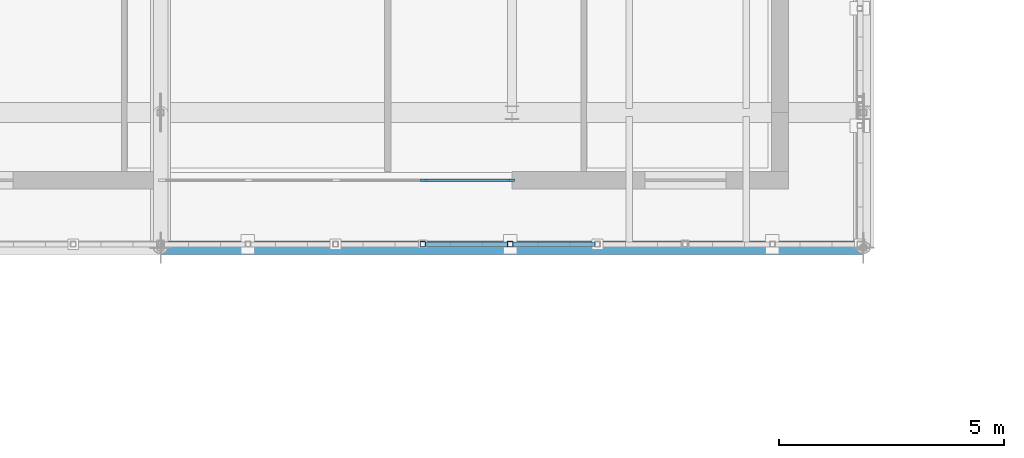
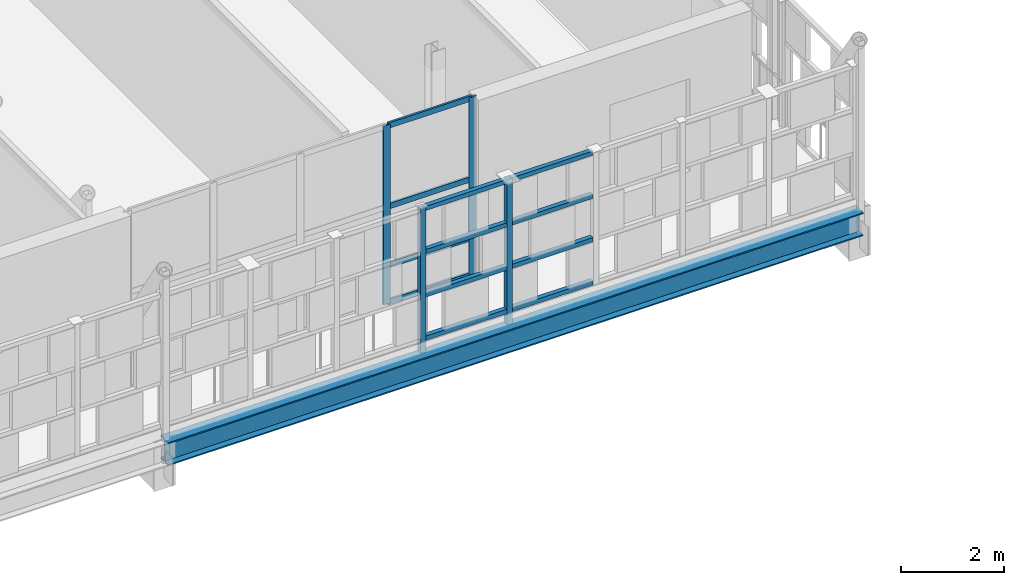
# One storey, part 24 of 89: 16 members, 1 beam, 1 element without a shape of its own.
"""IFC4 building model written with IfcOpenShell, lengths in metres."""

from ifc_helpers import new_model, si_unit, direction, frame, origin, origin_2d, place, context, subcontext, project, spatial, rectangle, hollow_rectangle, i_section, extrude, material, layer, layer_set, material_profile, profile_set, type_object, element, aggregate, save


model = new_model("IFC4")

# Units and contexts
model_context = context("Model", 3, precision=1e-05, world=origin(), true_north=direction((0.0, 1.0)))
body_context = subcontext(model_context, "Body", "Model", "MODEL_VIEW")
ifc_project = project(units=[si_unit("LENGTHUNIT", "METRE"), si_unit("AREAUNIT", "SQUARE_METRE"), si_unit("VOLUMEUNIT", "CUBIC_METRE"), si_unit("PLANEANGLEUNIT", "RADIAN"), si_unit("MASSUNIT", "GRAM", prefix="KILO")], contexts=[model_context])

# Site, building, storey
site_placement = place(None, origin())
site = spatial("IfcSite", under=ifc_project, at=site_placement, CompositionType="ELEMENT")
building_placement = place(site_placement, origin())
building = spatial("IfcBuilding", under=site, at=building_placement, Name="Celorna Specialist Clinic", CompositionType="ELEMENT")
storey_placement = place(building_placement, frame((0.0, 0.0, 14.10009765625)))
storey = spatial("IfcBuildingStorey", under=building, at=storey_placement, Name="L03", CompositionType="ELEMENT", Elevation=14.10009765625)

# Beam
ifc_material_1 = material(Name="Steel S355", Category="steel")
ifc_material_profile_1 = material_profile(ifc_material_1, i_section(OverallWidth=0.300048828125, OverallDepth=0.550048828125, WebThickness=0.014892578125, FlangeThickness=0.029052734375, at=origin_2d()), Name="HE 550 B")
ifc_profile_set_1 = profile_set([ifc_material_profile_1], Name="Steel S355")
beam_type = type_object("IfcBeamType", Name="BM-04", PredefinedType="BEAM", material=ifc_profile_set_1)
beam_placement = place(storey_placement, frame((70.199951171875, 5.699951171875, -0.53515625), z_axis=(1.0, 0.0, 0.0), x_axis=(0.0, 1.0, 0.0)))
element("IfcBeam", 1, at=beam_placement, inside=storey, type_object=beam_type, Name="Cantilever nose edge girder BM-04 #7", PredefinedType="BEAM", context=body_context, shape_type="SweptSolid", body=[
    extrude(i_section(OverallWidth=0.300048828125, OverallDepth=0.550048828125, WebThickness=0.014892578125, FlangeThickness=0.029052734375, at=origin_2d()), origin(), (0.0, 0.0, 1.0), 15.60009765625),
])

# Members
ifc_material_profile_2 = material_profile(ifc_material_1, hollow_rectangle(XDim=0.1201171875, YDim=0.1201171875, WallThickness=0.008056640625, at=origin_2d()), Name="SHS 120x120x8")
ifc_profile_set_2 = profile_set([ifc_material_profile_2], Name="Steel S355")
member_type_1 = type_object("IfcMemberType", Name="MB-11", PredefinedType="STUD", material=ifc_profile_set_2)
for number, where, z_axis, x_axis, name in (
    (2, (76.02001953125, 5.780029296875, -0.360107421875), (0.0, 0.0, 1.0), (1.0, 0.0, 0.0), "Perforated screen steel post #93"),
    (3, (77.9599609375, 5.780029296875, -0.360107421875), (0.0, 0.0, 1.0), (1.0, 0.0, 0.0), "Perforated screen steel post #94"),
):
    element("IfcMember", number, at=place(storey_placement, frame(where, z_axis=z_axis, x_axis=x_axis)), inside=storey, type_object=member_type_1, Name=name, PredefinedType="STUD", context=body_context, shape_type="SweptSolid", body=[
        extrude(hollow_rectangle(XDim=0.1201171875, YDim=0.1201171875, WallThickness=0.008056640625, at=origin_2d()), origin(), (0.0, 0.0, 1.0), 3.5400390625),
    ])
ifc_material_profile_3 = material_profile(ifc_material_1, hollow_rectangle(XDim=0.10009765625, YDim=0.10009765625, WallThickness=0.006103515625, at=origin_2d()), Name="SHS 100x100x6")
ifc_profile_set_3 = profile_set([ifc_material_profile_3], Name="Steel S355")
member_type_2 = type_object("IfcMemberType", Name="MB-12", PredefinedType="STUD", material=ifc_profile_set_3)
for number, where, z_axis, x_axis, name in (
    (4, (76.080078125, 5.780029296875, 0.0498046875), (1.0, 0.0, 0.0), (0.0, 1.0, 0.0), "Perforated screen rail #143"),
    (5, (76.080078125, 5.780029296875, 1.07666015625), (1.0, 0.0, 0.0), (0.0, 1.0, 0.0), "Perforated screen rail #144"),
    (6, (76.080078125, 5.780029296875, 2.103271484375), (1.0, 0.0, 0.0), (0.0, 1.0, 0.0), "Perforated screen rail #145"),
    (7, (76.080078125, 5.780029296875, 3.1298828125), (1.0, 0.0, 0.0), (0.0, 1.0, 0.0), "Perforated screen rail #146"),
):
    element("IfcMember", number, at=place(storey_placement, frame(where, z_axis=z_axis, x_axis=x_axis)), inside=storey, type_object=member_type_2, Name=name, PredefinedType="STUD", context=body_context, shape_type="SweptSolid", body=[
        extrude(hollow_rectangle(XDim=0.10009765625, YDim=0.10009765625, WallThickness=0.006103515625, at=origin_2d()), origin(), (0.0, 0.0, 1.0), 1.81982421875),
    ])
for number, where, z_axis, x_axis, name in (
    (8, (78.02001953125, 5.780029296875, 0.0498046875), (1.0, 0.0, 0.0), (0.0, 1.0, 0.0), "Perforated screen rail #147"),
    (9, (78.02001953125, 5.780029296875, 1.07666015625), (1.0, 0.0, 0.0), (0.0, 1.0, 0.0), "Perforated screen rail #148"),
    (10, (78.02001953125, 5.780029296875, 2.103271484375), (1.0, 0.0, 0.0), (0.0, 1.0, 0.0), "Perforated screen rail #149"),
    (11, (78.02001953125, 5.780029296875, 3.1298828125), (1.0, 0.0, 0.0), (0.0, 1.0, 0.0), "Perforated screen rail #150"),
):
    element("IfcMember", number, at=place(storey_placement, frame(where, z_axis=z_axis, x_axis=x_axis)), inside=storey, type_object=member_type_2, Name=name, PredefinedType="STUD", context=body_context, shape_type="SweptSolid", body=[
        extrude(hollow_rectangle(XDim=0.10009765625, YDim=0.10009765625, WallThickness=0.006103515625, at=origin_2d()), origin(), (0.0, 0.0, 1.0), 1.820068359375),
    ])

# Curtain wall, members
ifc_material_2 = material(Name="Thermally broken aluminium and solar-control glass curtain wall", Category="aluminium")
ifc_layer = layer(ifc_material_2, 0.159912109375, Name="Thermally broken aluminium and solar-control glass curtain wall")
ifc_layer_set = layer_set([ifc_layer], Name="Thermally broken aluminium and solar-control glass curtain wall")
curtain_wall_type = type_object("IfcCurtainWallType", Name="CW-68", PredefinedType="NOTDEFINED", material=ifc_layer_set)
curtain_wall_placement = place(storey_placement, origin())
curtain_wall = element("IfcCurtainWall", 12, at=curtain_wall_placement, inside=storey, type_object=curtain_wall_type, Name="Curtain wall CW-68 #197", PredefinedType="NOTDEFINED")
ifc_material_3 = material(Name="Anodized aluminium mullion", Category="aluminium")
ifc_material_profile_4 = material_profile(ifc_material_3, rectangle(XDim=0.050048828125, YDim=0.159912109375, at=origin_2d()), Name="ALU MULLION 50x160")
ifc_profile_set_4 = profile_set([ifc_material_profile_4], Name="Anodized aluminium mullion")
member_type_3 = type_object("IfcMemberType", Name="ML-01", PredefinedType="MULLION", material=ifc_profile_set_4)
member_1_placement = place(storey_placement, frame((77.970947265625, 7.199951171875, 0.0), z_axis=(0.0, 0.0, 1.0), x_axis=(0.0, -1.0, 0.0)))
member_1 = element("IfcMember", 13, at=member_1_placement, type_object=member_type_3, Name="CW-68 mullion 1", PredefinedType="MULLION", context=body_context, shape_type="SweptSolid", body=[
    extrude(rectangle(XDim=0.050048828125, YDim=0.159912109375, at=origin_2d()), origin(), (0.0, 0.0, 1.0), 4.239990234375),
])
member_2_placement = place(storey_placement, frame((76.048095703125, 7.199951171875, 0.0), z_axis=(0.0, 0.0, 1.0), x_axis=(0.0, -1.0, 0.0)))
member_2 = element("IfcMember", 14, at=member_2_placement, type_object=member_type_3, Name="CW-68 mullion 2", PredefinedType="MULLION", context=body_context, shape_type="SweptSolid", body=[
    extrude(rectangle(XDim=0.050048828125, YDim=0.159912109375, at=origin_2d()), origin(), (0.0, 0.0, 1.0), 4.239990234375),
])
ifc_material_4 = material(Name="Anodized aluminium transom", Category="aluminium")
ifc_material_profile_5 = material_profile(ifc_material_4, rectangle(XDim=0.050048828125, YDim=0.1298828125, at=origin_2d()), Name="ALU TRANSOM 50x130")
ifc_profile_set_5 = profile_set([ifc_material_profile_5], Name="Anodized aluminium transom")
member_type_4 = type_object("IfcMemberType", Name="TR-01", PredefinedType="USERDEFINED", material=ifc_profile_set_5)
member_3_placement = place(storey_placement, frame((77.946044921875, 7.199951171875, 0.02490234375), z_axis=(-1.0, 0.0, 0.0), x_axis=(0.0, -1.0, 0.0)))
member_3 = element("IfcMember", 15, at=member_3_placement, type_object=member_type_4, Name="CW-68 transom 1.1", ObjectType="TRANSOM", PredefinedType="USERDEFINED", context=body_context, shape_type="SweptSolid", body=[
    extrude(rectangle(XDim=0.050048828125, YDim=0.1298828125, at=origin_2d()), origin(), (0.0, 0.0, 1.0), 1.873046875),
])
member_4_placement = place(storey_placement, frame((77.946044921875, 7.199951171875, 0.89990234375), z_axis=(-1.0, 0.0, 0.0), x_axis=(0.0, -1.0, 0.0)))
member_4 = element("IfcMember", 16, at=member_4_placement, type_object=member_type_4, Name="CW-68 transom 1.2", ObjectType="TRANSOM", PredefinedType="USERDEFINED", context=body_context, shape_type="SweptSolid", body=[
    extrude(rectangle(XDim=0.050048828125, YDim=0.1298828125, at=origin_2d()), origin(), (0.0, 0.0, 1.0), 1.873046875),
])
member_5_placement = place(storey_placement, frame((77.946044921875, 7.199951171875, 2.2998046875), z_axis=(-1.0, 0.0, 0.0), x_axis=(0.0, -1.0, 0.0)))
member_5 = element("IfcMember", 17, at=member_5_placement, type_object=member_type_4, Name="CW-68 transom 1.3", ObjectType="TRANSOM", PredefinedType="USERDEFINED", context=body_context, shape_type="SweptSolid", body=[
    extrude(rectangle(XDim=0.050048828125, YDim=0.1298828125, at=origin_2d()), origin(), (0.0, 0.0, 1.0), 1.873046875),
])
member_6_placement = place(storey_placement, frame((77.946044921875, 7.199951171875, 4.21484375), z_axis=(-1.0, 0.0, 0.0), x_axis=(0.0, -1.0, 0.0)))
member_6 = element("IfcMember", 18, at=member_6_placement, type_object=member_type_4, Name="CW-68 transom 1.4", ObjectType="TRANSOM", PredefinedType="USERDEFINED", context=body_context, shape_type="SweptSolid", body=[
    extrude(rectangle(XDim=0.050048828125, YDim=0.1298828125, at=origin_2d()), origin(), (0.0, 0.0, 1.0), 1.873046875),
])
aggregate(curtain_wall, [member_1, member_2, member_3, member_4, member_5, member_6])

save(model, "model.ifc")
